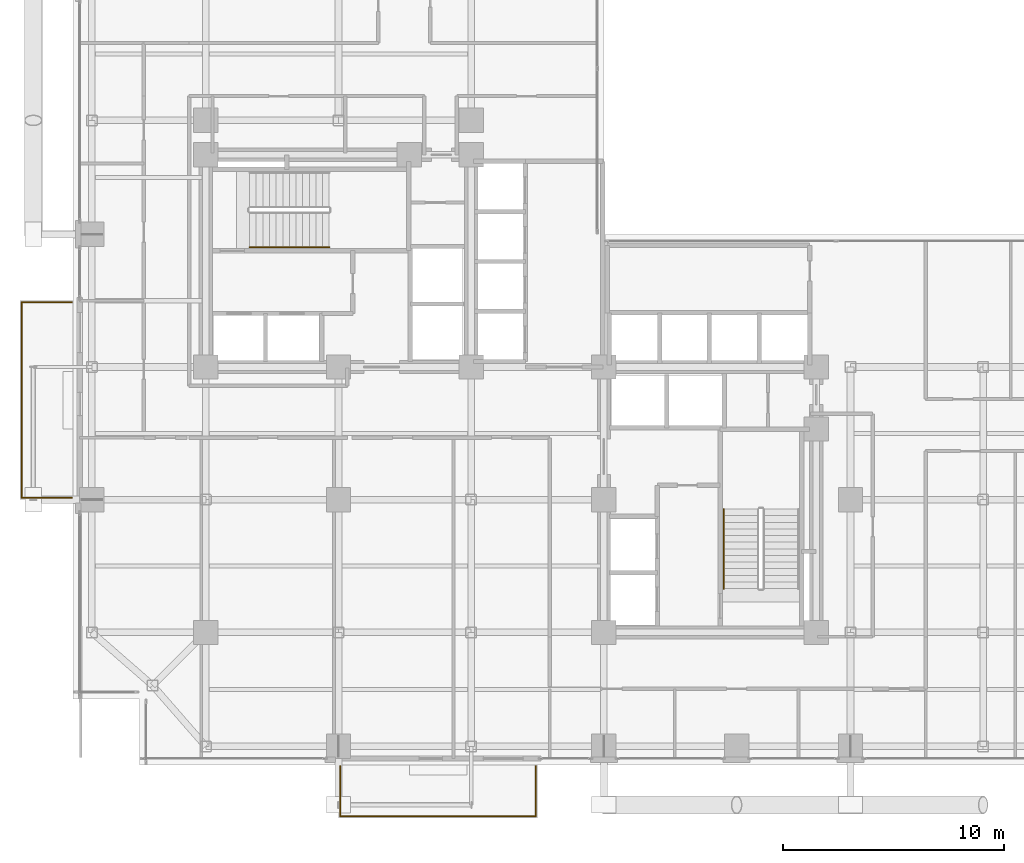
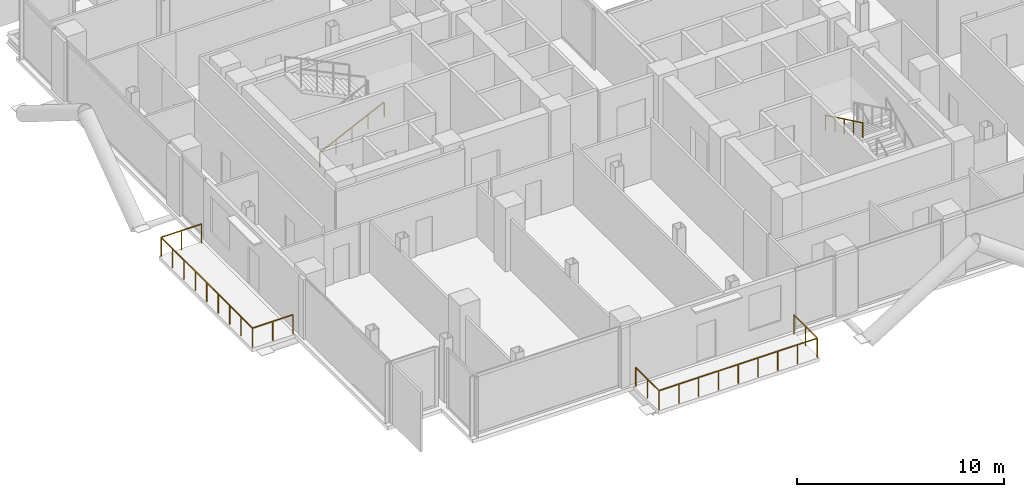
# One storey, part 24 of 26: 4 railings.
"""IFC4 building model written with IfcOpenShell, lengths in metres."""

from ifc_helpers import new_model, si_unit, direction, frame, origin, origin_2d, place, context, subcontext, project, spatial, rectangle, extrude, material, type_object, element, save


model = new_model("IFC4")

# Units and contexts
model_context = context("Model", 3, precision=1e-05, world=origin(), true_north=direction((0.0, 1.0)))
body_context = subcontext(model_context, "Body", "Model", "MODEL_VIEW")
ifc_project = project(units=[si_unit("LENGTHUNIT", "METRE"), si_unit("AREAUNIT", "SQUARE_METRE"), si_unit("VOLUMEUNIT", "CUBIC_METRE"), si_unit("PLANEANGLEUNIT", "RADIAN"), si_unit("MASSUNIT", "GRAM", prefix="KILO"), si_unit("THERMODYNAMICTEMPERATUREUNIT", "KELVIN"), si_unit("POWERUNIT", "WATT")], contexts=[model_context])

# Site, building, storey
site_placement = place(None, origin())
site = spatial("IfcSite", under=ifc_project, at=site_placement, CompositionType="ELEMENT")
building_placement = place(site_placement, origin())
building = spatial("IfcBuilding", under=site, at=building_placement, Name="Svarakhadi Broadcast Tower", CompositionType="ELEMENT")
storey_placement = place(building_placement, frame((0.0, 0.0, 99.60009765625)))
storey = spatial("IfcBuildingStorey", under=building, at=storey_placement, Name="L23", CompositionType="ELEMENT", Elevation=99.60009765625)

# Railings
ifc_material_1 = material(Name="Laminated Structural SentryGlas Balustrade 25.5 mm", Category="glass")
railing_type_1 = type_object("IfcRailingType", Name="Guard_Balcony_GR01", PredefinedType="BALUSTRADE", material=ifc_material_1)
railing_1_placement = place(storey_placement, frame((12.080078125, -0.06005859375, 0.0)))
element("IfcRailing", 1, at=railing_1_placement, inside=storey, type_object=railing_type_1, Name="L23 South Tree Balcony Guard GR-05", PredefinedType="BALUSTRADE", context=body_context, shape_type="SweptSolid", body=[
    extrude(rectangle(XDim=0.048095703125, YDim=0.048095703125, at=origin_2d()), frame((0.0, 0.0, 1.1259765625), z_axis=(0.0, -1.0, 0.0), x_axis=(1.0, 0.0, 0.0)), (0.0, 0.0, 1.0), 2.260009765625),
    extrude(rectangle(XDim=0.048095703125, YDim=0.048095703125, at=origin_2d()), frame((0.0, -2.260009765625, 1.1259765625), z_axis=(1.0, 0.0, 0.0), x_axis=(0.0, 1.0, 0.0)), (0.0, 0.0, 1.0), 8.83984375),
    extrude(rectangle(XDim=0.048095703125, YDim=0.048095703125, at=origin_2d()), frame((8.83984375, -2.260009765625, 1.1259765625), z_axis=(0.0, 1.0, 0.0), x_axis=(-1.0, 0.0, 0.0)), (0.0, 0.0, 1.0), 2.260009765625),
    extrude(rectangle(XDim=0.0419921875, YDim=0.0419921875, at=origin_2d()), origin(), (0.0, 0.0, 1.0), 1.101806640625),
    extrude(rectangle(XDim=0.0419921875, YDim=0.0419921875, at=origin_2d()), frame((0.0, -1.1298828125, 0.0)), (0.0, 0.0, 1.0), 1.101806640625),
    extrude(rectangle(XDim=0.0419921875, YDim=0.0419921875, at=origin_2d()), frame((0.0, -2.260009765625, 0.0)), (0.0, 0.0, 1.0), 1.101806640625),
    extrude(rectangle(XDim=0.0419921875, YDim=0.0419921875, at=origin_2d()), frame((1.10498046875, -2.260009765625, 0.0)), (0.0, 0.0, 1.0), 1.101806640625),
    extrude(rectangle(XDim=0.0419921875, YDim=0.0419921875, at=origin_2d()), frame((2.2099609375, -2.260009765625, 0.0)), (0.0, 0.0, 1.0), 1.101806640625),
    extrude(rectangle(XDim=0.0419921875, YDim=0.0419921875, at=origin_2d()), frame((3.31494140625, -2.260009765625, 0.0)), (0.0, 0.0, 1.0), 1.101806640625),
    extrude(rectangle(XDim=0.0419921875, YDim=0.0419921875, at=origin_2d()), frame((4.419921875, -2.260009765625, 0.0)), (0.0, 0.0, 1.0), 1.101806640625),
    extrude(rectangle(XDim=0.0419921875, YDim=0.0419921875, at=origin_2d()), frame((5.52490234375, -2.260009765625, 0.0)), (0.0, 0.0, 1.0), 1.101806640625),
    extrude(rectangle(XDim=0.0419921875, YDim=0.0419921875, at=origin_2d()), frame((6.6298828125, -2.260009765625, 0.0)), (0.0, 0.0, 1.0), 1.101806640625),
    extrude(rectangle(XDim=0.0419921875, YDim=0.0419921875, at=origin_2d()), frame((7.73486328125, -2.260009765625, 0.0)), (0.0, 0.0, 1.0), 1.101806640625),
    extrude(rectangle(XDim=0.0419921875, YDim=0.0419921875, at=origin_2d()), frame((8.83984375, -2.260009765625, 0.0)), (0.0, 0.0, 1.0), 1.101806640625),
    extrude(rectangle(XDim=0.0419921875, YDim=0.0419921875, at=origin_2d()), frame((8.83984375, -1.1298828125, 0.0)), (0.0, 0.0, 1.0), 1.101806640625),
    extrude(rectangle(XDim=0.0419921875, YDim=0.0419921875, at=origin_2d()), frame((8.83984375, 0.0, 0.0)), (0.0, 0.0, 1.0), 1.101806640625),
])
railing_2_placement = place(storey_placement, frame((-0.06005859375, 12.080078125, 0.0)))
element("IfcRailing", 2, at=railing_2_placement, inside=storey, type_object=railing_type_1, Name="L23 West Tree Balcony Guard GR-05", PredefinedType="BALUSTRADE", context=body_context, shape_type="SweptSolid", body=[
    extrude(rectangle(XDim=0.048095703125, YDim=0.048095703125, at=origin_2d()), frame((0.0, 0.0, 1.1259765625), z_axis=(-1.0, 0.0, 0.0), x_axis=(0.0, -1.0, 0.0)), (0.0, 0.0, 1.0), 2.260009765625),
    extrude(rectangle(XDim=0.048095703125, YDim=0.048095703125, at=origin_2d()), frame((-2.260009765625, 0.0, 1.1259765625), z_axis=(0.0, 1.0, 0.0), x_axis=(-1.0, 0.0, 0.0)), (0.0, 0.0, 1.0), 8.83984375),
    extrude(rectangle(XDim=0.048095703125, YDim=0.048095703125, at=origin_2d()), frame((-2.260009765625, 8.83984375, 1.1259765625), z_axis=(1.0, 0.0, 0.0), x_axis=(0.0, 1.0, 0.0)), (0.0, 0.0, 1.0), 2.260009765625),
    extrude(rectangle(XDim=0.0419921875, YDim=0.0419921875, at=origin_2d()), origin(), (0.0, 0.0, 1.0), 1.101806640625),
    extrude(rectangle(XDim=0.0419921875, YDim=0.0419921875, at=origin_2d()), frame((-1.1298828125, 0.0, 0.0)), (0.0, 0.0, 1.0), 1.101806640625),
    extrude(rectangle(XDim=0.0419921875, YDim=0.0419921875, at=origin_2d()), frame((-2.260009765625, 0.0, 0.0)), (0.0, 0.0, 1.0), 1.101806640625),
    extrude(rectangle(XDim=0.0419921875, YDim=0.0419921875, at=origin_2d()), frame((-2.260009765625, 1.10498046875, 0.0)), (0.0, 0.0, 1.0), 1.101806640625),
    extrude(rectangle(XDim=0.0419921875, YDim=0.0419921875, at=origin_2d()), frame((-2.260009765625, 2.2099609375, 0.0)), (0.0, 0.0, 1.0), 1.101806640625),
    extrude(rectangle(XDim=0.0419921875, YDim=0.0419921875, at=origin_2d()), frame((-2.260009765625, 3.31494140625, 0.0)), (0.0, 0.0, 1.0), 1.101806640625),
    extrude(rectangle(XDim=0.0419921875, YDim=0.0419921875, at=origin_2d()), frame((-2.260009765625, 4.419921875, 0.0)), (0.0, 0.0, 1.0), 1.101806640625),
    extrude(rectangle(XDim=0.0419921875, YDim=0.0419921875, at=origin_2d()), frame((-2.260009765625, 5.52490234375, 0.0)), (0.0, 0.0, 1.0), 1.101806640625),
    extrude(rectangle(XDim=0.0419921875, YDim=0.0419921875, at=origin_2d()), frame((-2.260009765625, 6.6298828125, 0.0)), (0.0, 0.0, 1.0), 1.101806640625),
    extrude(rectangle(XDim=0.0419921875, YDim=0.0419921875, at=origin_2d()), frame((-2.260009765625, 7.73486328125, 0.0)), (0.0, 0.0, 1.0), 1.101806640625),
    extrude(rectangle(XDim=0.0419921875, YDim=0.0419921875, at=origin_2d()), frame((-2.260009765625, 8.83984375, 0.0)), (0.0, 0.0, 1.0), 1.101806640625),
    extrude(rectangle(XDim=0.0419921875, YDim=0.0419921875, at=origin_2d()), frame((-1.1298828125, 8.83984375, 0.0)), (0.0, 0.0, 1.0), 1.101806640625),
    extrude(rectangle(XDim=0.0419921875, YDim=0.0419921875, at=origin_2d()), frame((0.0, 8.83984375, 0.0)), (0.0, 0.0, 1.0), 1.101806640625),
])
ifc_material_2 = material(Name="Anodised Bronze Aluminium AA 6063-T6", Category="aluminium")
railing_type_2 = type_object("IfcRailingType", Name="Handrail_Stair_HR01", PredefinedType="HANDRAIL", material=ifc_material_2)
railing_3_placement = place(storey_placement, frame((7.97998046875, 23.409912109375, 0.14404296875)))
element("IfcRailing", 3, at=railing_3_placement, inside=storey, type_object=railing_type_2, Name="L23 ST-01 stair handrail 1", PredefinedType="HANDRAIL", context=body_context, shape_type="SweptSolid", body=[
    extrude(rectangle(XDim=0.048095703125, YDim=0.048095703125, at=origin_2d()), frame((0.0, 0.0, 0.8759765625), z_axis=(0.901238654732, 0.0, 0.433323074871), x_axis=(0.0, 1.0, 0.0)), (0.0, 0.0, 1.0), 3.99462890625),
    extrude(rectangle(XDim=0.0419921875, YDim=0.0419921875, at=origin_2d()), origin(), (0.0, 0.0, 1.0), 0.851806640625),
    extrude(rectangle(XDim=0.0419921875, YDim=0.0419921875, at=origin_2d()), frame((0.89990234375, 0.0, 0.4326171875)), (0.0, 0.0, 1.0), 0.851806640625),
    extrude(rectangle(XDim=0.0419921875, YDim=0.0419921875, at=origin_2d()), frame((1.800048828125, 0.0, 0.865478515625)), (0.0, 0.0, 1.0), 0.851806640625),
    extrude(rectangle(XDim=0.0419921875, YDim=0.0419921875, at=origin_2d()), frame((2.7001953125, 0.0, 1.29833984375)), (0.0, 0.0, 1.0), 0.851806640625),
    extrude(rectangle(XDim=0.0419921875, YDim=0.0419921875, at=origin_2d()), frame((3.60009765625, 0.0, 1.73095703125)), (0.0, 0.0, 1.0), 0.851806640625),
])
railing_4_placement = place(storey_placement, frame((29.409912109375, 11.580078125, 2.01904296875)))
element("IfcRailing", 4, at=railing_4_placement, inside=storey, type_object=railing_type_2, Name="L23 ST-02 stair handrail 2", PredefinedType="HANDRAIL", context=body_context, shape_type="SweptSolid", body=[
    extrude(rectangle(XDim=0.048095703125, YDim=0.048095703125, at=origin_2d()), frame((0.0, 0.0, 0.8759765625), z_axis=(0.0, -0.901238654732, 0.433323074871), x_axis=(1.0, 0.0, 0.0)), (0.0, 0.0, 1.0), 3.99462890625),
    extrude(rectangle(XDim=0.0419921875, YDim=0.0419921875, at=origin_2d()), origin(), (0.0, 0.0, 1.0), 0.851806640625),
    extrude(rectangle(XDim=0.0419921875, YDim=0.0419921875, at=origin_2d()), frame((0.0, -0.89990234375, 0.4326171875)), (0.0, 0.0, 1.0), 0.851806640625),
    extrude(rectangle(XDim=0.0419921875, YDim=0.0419921875, at=origin_2d()), frame((0.0, -1.800048828125, 0.865478515625)), (0.0, 0.0, 1.0), 0.851806640625),
    extrude(rectangle(XDim=0.0419921875, YDim=0.0419921875, at=origin_2d()), frame((0.0, -2.7001953125, 1.29833984375)), (0.0, 0.0, 1.0), 0.851806640625),
    extrude(rectangle(XDim=0.0419921875, YDim=0.0419921875, at=origin_2d()), frame((0.0, -3.60009765625, 1.73095703125)), (0.0, 0.0, 1.0), 0.851806640625),
])

save(model, "model.ifc")
